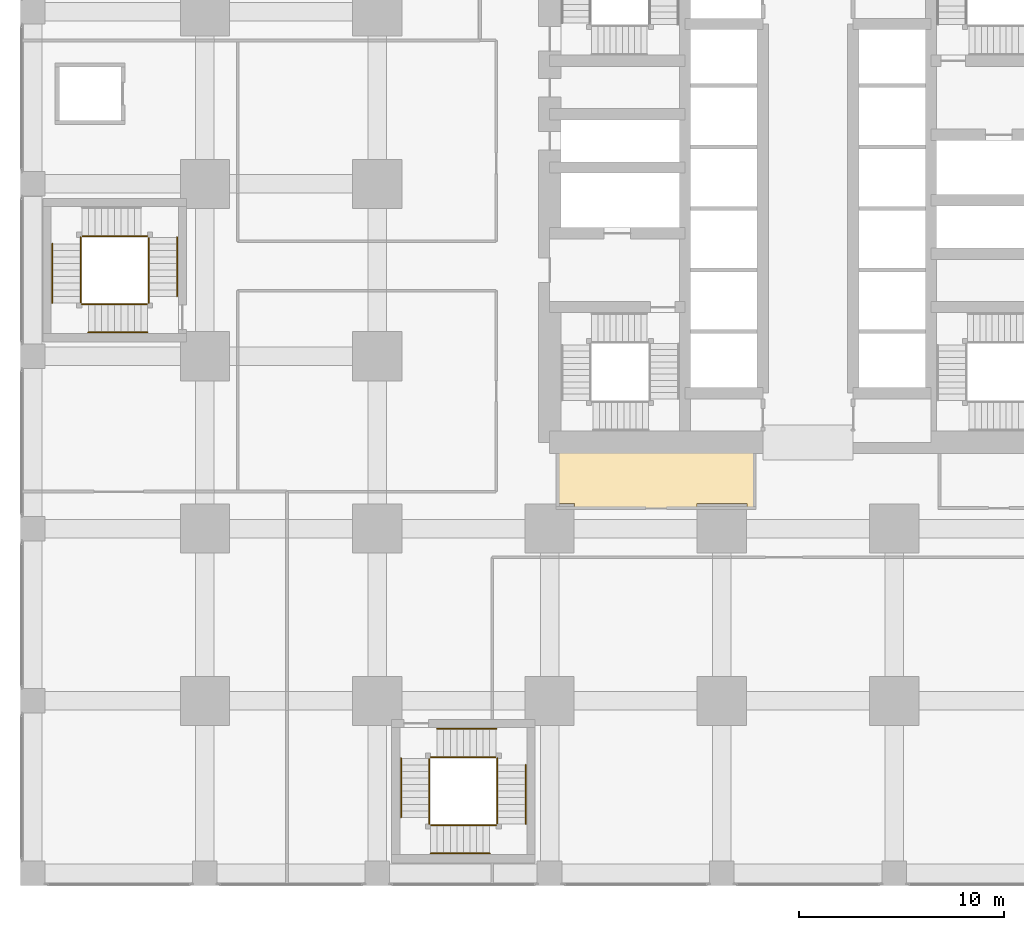
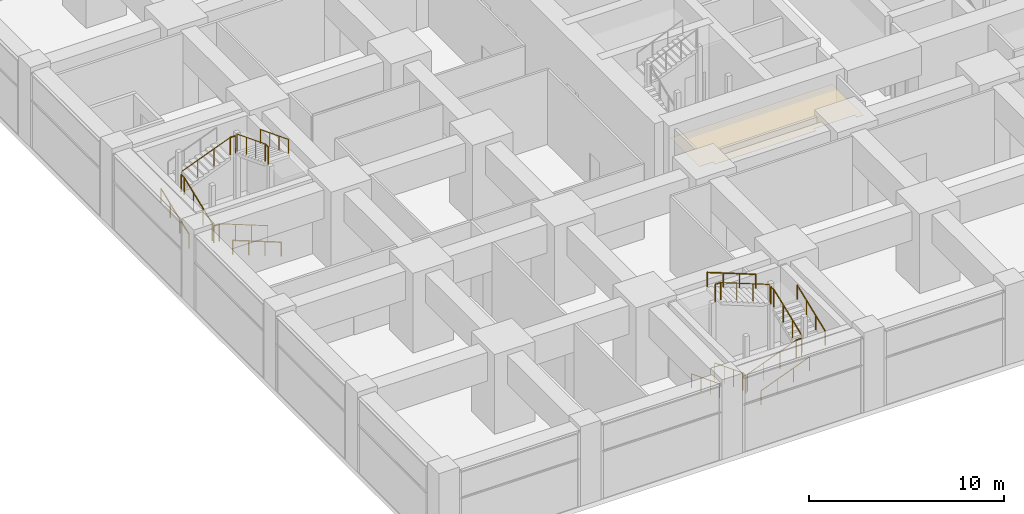
# One storey, part 41 of 49: 23 railings, 1 covering.
"""IFC4 building model written with IfcOpenShell, lengths in metres."""

from ifc_helpers import new_model, si_unit, direction, frame, origin, origin_2d, place, context, subcontext, project, spatial, polyline, circle, outline, extrude, material, layer, layer_set, type_object, element, save


model = new_model("IFC4")

# Units and contexts
model_context = context("Model", 3, precision=1e-05, world=origin(), true_north=direction((0.0, 1.0)))
body_context = subcontext(model_context, "Body", "Model", "MODEL_VIEW")
ifc_project = project(units=[si_unit("LENGTHUNIT", "METRE"), si_unit("AREAUNIT", "SQUARE_METRE"), si_unit("VOLUMEUNIT", "CUBIC_METRE"), si_unit("PLANEANGLEUNIT", "RADIAN"), si_unit("MASSUNIT", "GRAM", prefix="KILO")], contexts=[model_context])

# Site, building, storey
site_placement = place(None, origin())
site = spatial("IfcSite", under=ifc_project, at=site_placement, CompositionType="ELEMENT")
building_placement = place(site_placement, origin())
building = spatial("IfcBuilding", under=site, at=building_placement, Name="Rekha Terrace Tower", CompositionType="ELEMENT")
storey_placement = place(building_placement, frame((0.0, 0.0, 5.39990234375)))
storey = spatial("IfcBuildingStorey", under=building, at=storey_placement, Name="L01", CompositionType="ELEMENT", Elevation=5.39990234375)

# Covering
ifc_material_1 = material(Name="Fibre cement board", Category="finish")
ifc_layer = layer(ifc_material_1, 0.014892578125)
ifc_layer_set = layer_set([ifc_layer], Name="Fibre cement board")
covering_type = type_object("IfcCoveringType", Name="CL2 moisture-resistant board ceiling", PredefinedType="CEILING", material=ifc_layer_set)
covering_placement = place(storey_placement, frame((0.0, 0.0, 3.78515625)))
element("IfcCovering", 1, at=covering_placement, inside=storey, type_object=covering_type, Name="Ceiling L01-WCM", PredefinedType="CEILING", context=body_context, shape_type="SweptSolid", body=[
    extrude(outline(polyline([(35.199951171875, 21.0), (25.60009765625, 21.0), (25.60009765625, 18.014892578125), (26.4150390625, 18.014892578125), (26.4150390625, 17.800048828125), (32.385009765625, 17.800048828125), (32.385009765625, 18.014892578125), (34.81494140625, 18.014892578125), (34.81494140625, 17.800048828125), (35.199951171875, 17.800048828125), (35.199951171875, 21.0)])), origin(), (0.0, 0.0, 1.0), 0.014892578125),
])

# Railings
ifc_material_2 = material(Name="Stainless steel balustrade", Category="steel")
railing_type_1 = type_object("IfcRailingType", Name="GR1 1100 stair guard", PredefinedType="GUARDRAIL", material=ifc_material_2)
railing_1_placement = place(storey_placement, frame((5.60009765625, 27.739990234375, 0.125)))
element("IfcRailing", 2, at=railing_1_placement, inside=storey, type_object=railing_type_1, Name="Guard SP1 L01 flight 1", PredefinedType="GUARDRAIL", context=body_context, shape_type="SweptSolid", body=[
    extrude(circle(Radius=0.02392578125, at=origin_2d()), frame((0.0, 0.0, 1.076171875), z_axis=(-0.931462784923, 0.0, 0.363836612098), x_axis=(0.0, -1.0, 0.0)), (0.0, 0.0, 1.0), 3.092041015625),
    extrude(circle(Radius=0.02099609375, at=origin_2d()), origin(), (0.0, 0.0, 1.0), 1.052001953125),
    extrude(circle(Radius=0.02099609375, at=origin_2d()), frame((-0.9599609375, 0.0, 0.375)), (0.0, 0.0, 1.0), 1.052001953125),
    extrude(circle(Radius=0.02099609375, at=origin_2d()), frame((-1.920166015625, 0.0, 0.75)), (0.0, 0.0, 1.0), 1.052001953125),
    extrude(circle(Radius=0.02099609375, at=origin_2d()), frame((-2.880126953125, 0.0, 1.125)), (0.0, 0.0, 1.0), 1.052001953125),
])
railing_2_placement = place(storey_placement, frame((2.340087890625, 27.800048828125, 1.375)))
element("IfcRailing", 3, at=railing_2_placement, inside=storey, type_object=railing_type_1, Name="Guard SP1 L01 flight 2", PredefinedType="GUARDRAIL", context=body_context, shape_type="SweptSolid", body=[
    extrude(circle(Radius=0.02392578125, at=origin_2d()), frame((0.0, 0.0, 1.076171875), z_axis=(0.0, 0.931452331594, 0.363863372667), x_axis=(-1.0, 0.0, 0.0)), (0.0, 0.0, 1.0), 3.091796875),
    extrude(circle(Radius=0.02099609375, at=origin_2d()), origin(), (0.0, 0.0, 1.0), 1.052001953125),
    extrude(circle(Radius=0.02099609375, at=origin_2d()), frame((0.0, 0.9599609375, 0.375)), (0.0, 0.0, 1.0), 1.052001953125),
    extrude(circle(Radius=0.02099609375, at=origin_2d()), frame((0.0, 1.919921875, 0.75)), (0.0, 0.0, 1.0), 1.052001953125),
    extrude(circle(Radius=0.02099609375, at=origin_2d()), frame((0.0, 2.8798828125, 1.125)), (0.0, 0.0, 1.0), 1.052001953125),
])
railing_3_placement = place(storey_placement, frame((2.39990234375, 31.06005859375, 2.625)))
element("IfcRailing", 4, at=railing_3_placement, inside=storey, type_object=railing_type_1, Name="Guard SP1 L01 flight 3", PredefinedType="GUARDRAIL", context=body_context, shape_type="SweptSolid", body=[
    extrude(circle(Radius=0.02392578125, at=origin_2d()), frame((0.0, 0.0, 1.076171875), z_axis=(0.931462784923, 0.0, 0.363836612098), x_axis=(0.0, 1.0, 0.0)), (0.0, 0.0, 1.0), 3.092041015625),
    extrude(circle(Radius=0.02099609375, at=origin_2d()), origin(), (0.0, 0.0, 1.0), 1.052001953125),
    extrude(circle(Radius=0.02099609375, at=origin_2d()), frame((0.9599609375, 0.0, 0.375)), (0.0, 0.0, 1.0), 1.052001953125),
    extrude(circle(Radius=0.02099609375, at=origin_2d()), frame((1.920166015625, 0.0, 0.75)), (0.0, 0.0, 1.0), 1.052001953125),
    extrude(circle(Radius=0.02099609375, at=origin_2d()), frame((2.880126953125, 0.0, 1.125)), (0.0, 0.0, 1.0), 1.052001953125),
])
railing_4_placement = place(storey_placement, frame((5.659912109375, 31.0, 3.875)))
element("IfcRailing", 5, at=railing_4_placement, inside=storey, type_object=railing_type_1, Name="Guard SP1 L01 flight 4", PredefinedType="GUARDRAIL", context=body_context, shape_type="SweptSolid", body=[
    extrude(circle(Radius=0.02392578125, at=origin_2d()), frame((0.0, 0.0, 1.076171875), z_axis=(0.0, -0.931452331594, 0.363863372667), x_axis=(1.0, 0.0, 0.0)), (0.0, 0.0, 1.0), 3.091796875),
    extrude(circle(Radius=0.02099609375, at=origin_2d()), origin(), (0.0, 0.0, 1.0), 1.052001953125),
    extrude(circle(Radius=0.02099609375, at=origin_2d()), frame((0.0, -0.9599609375, 0.375)), (0.0, 0.0, 1.0), 1.052001953125),
    extrude(circle(Radius=0.02099609375, at=origin_2d()), frame((0.0, -1.919921875, 0.75)), (0.0, 0.0, 1.0), 1.052001953125),
    extrude(circle(Radius=0.02099609375, at=origin_2d()), frame((0.0, -2.8798828125, 1.125)), (0.0, 0.0, 1.0), 1.052001953125),
])
railing_5_placement = place(storey_placement, frame((2.719970703125, 27.739990234375, 1.25)))
element("IfcRailing", 6, at=railing_5_placement, inside=storey, type_object=railing_type_1, Name="Guard SP1 L01 landing 1", PredefinedType="GUARDRAIL", context=body_context, shape_type="SweptSolid", body=[
    extrude(circle(Radius=0.02392578125, at=origin_2d()), frame((0.0, 0.0, 1.076171875), z_axis=(-1.0, 0.0, 0.0), x_axis=(0.0, -1.0, 0.0)), (0.0, 0.0, 1.0), 0.320068359375),
    extrude(circle(Radius=0.02099609375, at=origin_2d()), origin(), (0.0, 0.0, 1.0), 1.052001953125),
    extrude(circle(Radius=0.02099609375, at=origin_2d()), frame((-0.320068359375, 0.0, 0.0)), (0.0, 0.0, 1.0), 1.052001953125),
])
railing_6_placement = place(storey_placement, frame((2.340087890625, 30.679931640625, 2.5)))
element("IfcRailing", 7, at=railing_6_placement, inside=storey, type_object=railing_type_1, Name="Guard SP1 L01 landing 2", PredefinedType="GUARDRAIL", context=body_context, shape_type="SweptSolid", body=[
    extrude(circle(Radius=0.02392578125, at=origin_2d()), frame((0.0, 0.0, 1.076171875), z_axis=(0.0, 1.0, 0.0), x_axis=(-1.0, 0.0, 0.0)), (0.0, 0.0, 1.0), 0.320068359375),
    extrude(circle(Radius=0.02099609375, at=origin_2d()), origin(), (0.0, 0.0, 1.0), 1.052001953125),
    extrude(circle(Radius=0.02099609375, at=origin_2d()), frame((0.0, 0.320068359375, 0.0)), (0.0, 0.0, 1.0), 1.052001953125),
])
railing_7_placement = place(storey_placement, frame((5.60009765625, 31.06005859375, 3.75)))
element("IfcRailing", 8, at=railing_7_placement, inside=storey, type_object=railing_type_1, Name="Guard SP1 L01 landing 3", PredefinedType="GUARDRAIL", context=body_context, shape_type="SweptSolid", body=[
    extrude(circle(Radius=0.02392578125, at=origin_2d()), frame((0.0, 0.0, 1.076171875), z_axis=(-1.0, 0.0, 0.0), x_axis=(0.0, -1.0, 0.0)), (0.0, 0.0, 1.0), 0.320068359375),
    extrude(circle(Radius=0.02099609375, at=origin_2d()), origin(), (0.0, 0.0, 1.0), 1.052001953125),
    extrude(circle(Radius=0.02099609375, at=origin_2d()), frame((-0.320068359375, 0.0, 0.0)), (0.0, 0.0, 1.0), 1.052001953125),
])
railing_8_placement = place(storey_placement, frame((5.659912109375, 27.800048828125, 5.0)))
element("IfcRailing", 9, at=railing_8_placement, inside=storey, type_object=railing_type_1, Name="Guard SP1 L01 landing 4", PredefinedType="GUARDRAIL", context=body_context, shape_type="SweptSolid", body=[
    extrude(circle(Radius=0.02392578125, at=origin_2d()), frame((0.0, 0.0, 1.076171875), z_axis=(0.0, 1.0, 0.0), x_axis=(-1.0, 0.0, 0.0)), (0.0, 0.0, 1.0), 0.320068359375),
    extrude(circle(Radius=0.02099609375, at=origin_2d()), origin(), (0.0, 0.0, 1.0), 1.052001953125),
    extrude(circle(Radius=0.02099609375, at=origin_2d()), frame((0.0, 0.320068359375, 0.0)), (0.0, 0.0, 1.0), 1.052001953125),
])
railing_9_placement = place(storey_placement, frame((19.340087890625, 5.60009765625, 0.125)))
element("IfcRailing", 10, at=railing_9_placement, inside=storey, type_object=railing_type_1, Name="Guard SP3 L01 flight 1", PredefinedType="GUARDRAIL", context=body_context, shape_type="SweptSolid", body=[
    extrude(circle(Radius=0.02392578125, at=origin_2d()), frame((0.0, 0.0, 1.076171875), z_axis=(0.0, -0.931462784923, 0.363836612098), x_axis=(1.0, 0.0, 0.0)), (0.0, 0.0, 1.0), 3.092041015625),
    extrude(circle(Radius=0.02099609375, at=origin_2d()), origin(), (0.0, 0.0, 1.0), 1.052001953125),
    extrude(circle(Radius=0.02099609375, at=origin_2d()), frame((0.0, -0.9599609375, 0.375)), (0.0, 0.0, 1.0), 1.052001953125),
    extrude(circle(Radius=0.02099609375, at=origin_2d()), frame((0.0, -1.920166015625, 0.75)), (0.0, 0.0, 1.0), 1.052001953125),
    extrude(circle(Radius=0.02099609375, at=origin_2d()), frame((0.0, -2.880126953125, 1.125)), (0.0, 0.0, 1.0), 1.052001953125),
])
railing_10_placement = place(storey_placement, frame((19.39990234375, 2.340087890625, 1.375)))
element("IfcRailing", 11, at=railing_10_placement, inside=storey, type_object=railing_type_1, Name="Guard SP3 L01 flight 2", PredefinedType="GUARDRAIL", context=body_context, shape_type="SweptSolid", body=[
    extrude(circle(Radius=0.02392578125, at=origin_2d()), frame((0.0, 0.0, 1.076171875), z_axis=(0.931462784923, 0.0, 0.363836612098), x_axis=(0.0, 1.0, 0.0)), (0.0, 0.0, 1.0), 3.092041015625),
    extrude(circle(Radius=0.02099609375, at=origin_2d()), origin(), (0.0, 0.0, 1.0), 1.052001953125),
    extrude(circle(Radius=0.02099609375, at=origin_2d()), frame((0.9599609375, 0.0, 0.375)), (0.0, 0.0, 1.0), 1.052001953125),
    extrude(circle(Radius=0.02099609375, at=origin_2d()), frame((1.920166015625, 0.0, 0.75)), (0.0, 0.0, 1.0), 1.052001953125),
    extrude(circle(Radius=0.02099609375, at=origin_2d()), frame((2.880126953125, 0.0, 1.125)), (0.0, 0.0, 1.0), 1.052001953125),
])
railing_11_placement = place(storey_placement, frame((22.659912109375, 2.39990234375, 2.625)))
element("IfcRailing", 12, at=railing_11_placement, inside=storey, type_object=railing_type_1, Name="Guard SP3 L01 flight 3", PredefinedType="GUARDRAIL", context=body_context, shape_type="SweptSolid", body=[
    extrude(circle(Radius=0.02392578125, at=origin_2d()), frame((0.0, 0.0, 1.076171875), z_axis=(0.0, 0.931462784923, 0.363836612098), x_axis=(-1.0, 0.0, 0.0)), (0.0, 0.0, 1.0), 3.092041015625),
    extrude(circle(Radius=0.02099609375, at=origin_2d()), origin(), (0.0, 0.0, 1.0), 1.052001953125),
    extrude(circle(Radius=0.02099609375, at=origin_2d()), frame((0.0, 0.9599609375, 0.375)), (0.0, 0.0, 1.0), 1.052001953125),
    extrude(circle(Radius=0.02099609375, at=origin_2d()), frame((0.0, 1.920166015625, 0.75)), (0.0, 0.0, 1.0), 1.052001953125),
    extrude(circle(Radius=0.02099609375, at=origin_2d()), frame((0.0, 2.880126953125, 1.125)), (0.0, 0.0, 1.0), 1.052001953125),
])
railing_12_placement = place(storey_placement, frame((22.60009765625, 5.659912109375, 3.875)))
element("IfcRailing", 13, at=railing_12_placement, inside=storey, type_object=railing_type_1, Name="Guard SP3 L01 flight 4", PredefinedType="GUARDRAIL", context=body_context, shape_type="SweptSolid", body=[
    extrude(circle(Radius=0.02392578125, at=origin_2d()), frame((0.0, 0.0, 1.076171875), z_axis=(-0.931462784923, 0.0, 0.363836612098), x_axis=(0.0, -1.0, 0.0)), (0.0, 0.0, 1.0), 3.092041015625),
    extrude(circle(Radius=0.02099609375, at=origin_2d()), origin(), (0.0, 0.0, 1.0), 1.052001953125),
    extrude(circle(Radius=0.02099609375, at=origin_2d()), frame((-0.9599609375, 0.0, 0.375)), (0.0, 0.0, 1.0), 1.052001953125),
    extrude(circle(Radius=0.02099609375, at=origin_2d()), frame((-1.920166015625, 0.0, 0.75)), (0.0, 0.0, 1.0), 1.052001953125),
    extrude(circle(Radius=0.02099609375, at=origin_2d()), frame((-2.880126953125, 0.0, 1.125)), (0.0, 0.0, 1.0), 1.052001953125),
])
railing_13_placement = place(storey_placement, frame((19.340087890625, 2.719970703125, 1.25)))
element("IfcRailing", 14, at=railing_13_placement, inside=storey, type_object=railing_type_1, Name="Guard SP3 L01 landing 1", PredefinedType="GUARDRAIL", context=body_context, shape_type="SweptSolid", body=[
    extrude(circle(Radius=0.02392578125, at=origin_2d()), frame((0.0, 0.0, 1.076171875), z_axis=(0.0, -1.0, 0.0), x_axis=(1.0, 0.0, 0.0)), (0.0, 0.0, 1.0), 0.320068359375),
    extrude(circle(Radius=0.02099609375, at=origin_2d()), origin(), (0.0, 0.0, 1.0), 1.052001953125),
    extrude(circle(Radius=0.02099609375, at=origin_2d()), frame((0.0, -0.320068359375, 0.0)), (0.0, 0.0, 1.0), 1.052001953125),
])
railing_14_placement = place(storey_placement, frame((22.280029296875, 2.340087890625, 2.5)))
element("IfcRailing", 15, at=railing_14_placement, inside=storey, type_object=railing_type_1, Name="Guard SP3 L01 landing 2", PredefinedType="GUARDRAIL", context=body_context, shape_type="SweptSolid", body=[
    extrude(circle(Radius=0.02392578125, at=origin_2d()), frame((0.0, 0.0, 1.076171875), z_axis=(1.0, 0.0, 0.0), x_axis=(0.0, 1.0, 0.0)), (0.0, 0.0, 1.0), 0.320068359375),
    extrude(circle(Radius=0.02099609375, at=origin_2d()), origin(), (0.0, 0.0, 1.0), 1.052001953125),
    extrude(circle(Radius=0.02099609375, at=origin_2d()), frame((0.320068359375, 0.0, 0.0)), (0.0, 0.0, 1.0), 1.052001953125),
])
railing_15_placement = place(storey_placement, frame((22.659912109375, 5.60009765625, 3.75)))
element("IfcRailing", 16, at=railing_15_placement, inside=storey, type_object=railing_type_1, Name="Guard SP3 L01 landing 3", PredefinedType="GUARDRAIL", context=body_context, shape_type="SweptSolid", body=[
    extrude(circle(Radius=0.02392578125, at=origin_2d()), frame((0.0, 0.0, 1.076171875), z_axis=(0.0, -1.0, 0.0), x_axis=(1.0, 0.0, 0.0)), (0.0, 0.0, 1.0), 0.320068359375),
    extrude(circle(Radius=0.02099609375, at=origin_2d()), origin(), (0.0, 0.0, 1.0), 1.052001953125),
    extrude(circle(Radius=0.02099609375, at=origin_2d()), frame((0.0, -0.320068359375, 0.0)), (0.0, 0.0, 1.0), 1.052001953125),
])
railing_16_placement = place(storey_placement, frame((19.39990234375, 5.659912109375, 5.0)))
element("IfcRailing", 17, at=railing_16_placement, inside=storey, type_object=railing_type_1, Name="Guard SP3 L01 landing 4", PredefinedType="GUARDRAIL", context=body_context, shape_type="SweptSolid", body=[
    extrude(circle(Radius=0.02392578125, at=origin_2d()), frame((0.0, 0.0, 1.076171875), z_axis=(1.0, 0.0, 0.0), x_axis=(0.0, 1.0, 0.0)), (0.0, 0.0, 1.0), 0.320068359375),
    extrude(circle(Radius=0.02099609375, at=origin_2d()), origin(), (0.0, 0.0, 1.0), 1.052001953125),
    extrude(circle(Radius=0.02099609375, at=origin_2d()), frame((0.320068359375, 0.0, 0.0)), (0.0, 0.0, 1.0), 1.052001953125),
])
ifc_material_3 = material(Name="Stainless steel tube", Category="steel")
railing_type_2 = type_object("IfcRailingType", Name="HR1 900 stair handrail", PredefinedType="HANDRAIL", material=ifc_material_3)
railing_17_placement = place(storey_placement, frame((5.60009765625, 26.360107421875, 0.125)))
element("IfcRailing", 18, at=railing_17_placement, inside=storey, type_object=railing_type_2, Name="Handrail SP1 L01 flight 1", PredefinedType="HANDRAIL", context=body_context, shape_type="SweptSolid", body=[
    extrude(circle(Radius=0.02392578125, at=origin_2d()), frame((0.0, 0.0, 0.8759765625), z_axis=(-0.931462784923, 0.0, 0.363836612098), x_axis=(0.0, -1.0, 0.0)), (0.0, 0.0, 1.0), 3.092041015625),
    extrude(circle(Radius=0.02099609375, at=origin_2d()), origin(), (0.0, 0.0, 1.0), 0.851806640625),
    extrude(circle(Radius=0.02099609375, at=origin_2d()), frame((-0.9599609375, 0.0, 0.375)), (0.0, 0.0, 1.0), 0.851806640625),
    extrude(circle(Radius=0.02099609375, at=origin_2d()), frame((-1.920166015625, 0.0, 0.75)), (0.0, 0.0, 1.0), 0.851806640625),
    extrude(circle(Radius=0.02099609375, at=origin_2d()), frame((-2.880126953125, 0.0, 1.125)), (0.0, 0.0, 1.0), 0.851806640625),
])
railing_18_placement = place(storey_placement, frame((0.9599609375, 27.800048828125, 1.375)))
element("IfcRailing", 19, at=railing_18_placement, inside=storey, type_object=railing_type_2, Name="Handrail SP1 L01 flight 2", PredefinedType="HANDRAIL", context=body_context, shape_type="SweptSolid", body=[
    extrude(circle(Radius=0.02392578125, at=origin_2d()), frame((0.0, 0.0, 0.8759765625), z_axis=(0.0, 0.931452331594, 0.363863372667), x_axis=(-1.0, 0.0, 0.0)), (0.0, 0.0, 1.0), 3.091796875),
    extrude(circle(Radius=0.02099609375, at=origin_2d()), origin(), (0.0, 0.0, 1.0), 0.851806640625),
    extrude(circle(Radius=0.02099609375, at=origin_2d()), frame((0.0, 0.9599609375, 0.375)), (0.0, 0.0, 1.0), 0.851806640625),
    extrude(circle(Radius=0.02099609375, at=origin_2d()), frame((0.0, 1.919921875, 0.75)), (0.0, 0.0, 1.0), 0.851806640625),
    extrude(circle(Radius=0.02099609375, at=origin_2d()), frame((0.0, 2.8798828125, 1.125)), (0.0, 0.0, 1.0), 0.851806640625),
])
railing_19_placement = place(storey_placement, frame((7.0400390625, 31.0, 3.875)))
element("IfcRailing", 20, at=railing_19_placement, inside=storey, type_object=railing_type_2, Name="Handrail SP1 L01 flight 4", PredefinedType="HANDRAIL", context=body_context, shape_type="SweptSolid", body=[
    extrude(circle(Radius=0.02392578125, at=origin_2d()), frame((0.0, 0.0, 0.8759765625), z_axis=(0.0, -0.931452331594, 0.363863372667), x_axis=(1.0, 0.0, 0.0)), (0.0, 0.0, 1.0), 3.091796875),
    extrude(circle(Radius=0.02099609375, at=origin_2d()), origin(), (0.0, 0.0, 1.0), 0.851806640625),
    extrude(circle(Radius=0.02099609375, at=origin_2d()), frame((0.0, -0.9599609375, 0.375)), (0.0, 0.0, 1.0), 0.851806640625),
    extrude(circle(Radius=0.02099609375, at=origin_2d()), frame((0.0, -1.919921875, 0.75)), (0.0, 0.0, 1.0), 0.851806640625),
    extrude(circle(Radius=0.02099609375, at=origin_2d()), frame((0.0, -2.8798828125, 1.125)), (0.0, 0.0, 1.0), 0.851806640625),
])
railing_20_placement = place(storey_placement, frame((17.9599609375, 5.60009765625, 0.125)))
element("IfcRailing", 21, at=railing_20_placement, inside=storey, type_object=railing_type_2, Name="Handrail SP3 L01 flight 1", PredefinedType="HANDRAIL", context=body_context, shape_type="SweptSolid", body=[
    extrude(circle(Radius=0.02392578125, at=origin_2d()), frame((0.0, 0.0, 0.8759765625), z_axis=(0.0, -0.931462784923, 0.363836612098), x_axis=(1.0, 0.0, 0.0)), (0.0, 0.0, 1.0), 3.092041015625),
    extrude(circle(Radius=0.02099609375, at=origin_2d()), origin(), (0.0, 0.0, 1.0), 0.851806640625),
    extrude(circle(Radius=0.02099609375, at=origin_2d()), frame((0.0, -0.9599609375, 0.375)), (0.0, 0.0, 1.0), 0.851806640625),
    extrude(circle(Radius=0.02099609375, at=origin_2d()), frame((0.0, -1.920166015625, 0.75)), (0.0, 0.0, 1.0), 0.851806640625),
    extrude(circle(Radius=0.02099609375, at=origin_2d()), frame((0.0, -2.880126953125, 1.125)), (0.0, 0.0, 1.0), 0.851806640625),
])
railing_21_placement = place(storey_placement, frame((19.39990234375, 0.9599609375, 1.375)))
element("IfcRailing", 22, at=railing_21_placement, inside=storey, type_object=railing_type_2, Name="Handrail SP3 L01 flight 2", PredefinedType="HANDRAIL", context=body_context, shape_type="SweptSolid", body=[
    extrude(circle(Radius=0.02392578125, at=origin_2d()), frame((0.0, 0.0, 0.8759765625), z_axis=(0.931462784923, 0.0, 0.363836612098), x_axis=(0.0, 1.0, 0.0)), (0.0, 0.0, 1.0), 3.092041015625),
    extrude(circle(Radius=0.02099609375, at=origin_2d()), origin(), (0.0, 0.0, 1.0), 0.851806640625),
    extrude(circle(Radius=0.02099609375, at=origin_2d()), frame((0.9599609375, 0.0, 0.375)), (0.0, 0.0, 1.0), 0.851806640625),
    extrude(circle(Radius=0.02099609375, at=origin_2d()), frame((1.920166015625, 0.0, 0.75)), (0.0, 0.0, 1.0), 0.851806640625),
    extrude(circle(Radius=0.02099609375, at=origin_2d()), frame((2.880126953125, 0.0, 1.125)), (0.0, 0.0, 1.0), 0.851806640625),
])
railing_22_placement = place(storey_placement, frame((24.0400390625, 2.39990234375, 2.625)))
element("IfcRailing", 23, at=railing_22_placement, inside=storey, type_object=railing_type_2, Name="Handrail SP3 L01 flight 3", PredefinedType="HANDRAIL", context=body_context, shape_type="SweptSolid", body=[
    extrude(circle(Radius=0.02392578125, at=origin_2d()), frame((0.0, 0.0, 0.8759765625), z_axis=(0.0, 0.931462784923, 0.363836612098), x_axis=(-1.0, 0.0, 0.0)), (0.0, 0.0, 1.0), 3.092041015625),
    extrude(circle(Radius=0.02099609375, at=origin_2d()), origin(), (0.0, 0.0, 1.0), 0.851806640625),
    extrude(circle(Radius=0.02099609375, at=origin_2d()), frame((0.0, 0.9599609375, 0.375)), (0.0, 0.0, 1.0), 0.851806640625),
    extrude(circle(Radius=0.02099609375, at=origin_2d()), frame((0.0, 1.920166015625, 0.75)), (0.0, 0.0, 1.0), 0.851806640625),
    extrude(circle(Radius=0.02099609375, at=origin_2d()), frame((0.0, 2.880126953125, 1.125)), (0.0, 0.0, 1.0), 0.851806640625),
])
railing_23_placement = place(storey_placement, frame((22.60009765625, 7.0400390625, 3.875)))
element("IfcRailing", 24, at=railing_23_placement, inside=storey, type_object=railing_type_2, Name="Handrail SP3 L01 flight 4", PredefinedType="HANDRAIL", context=body_context, shape_type="SweptSolid", body=[
    extrude(circle(Radius=0.02392578125, at=origin_2d()), frame((0.0, 0.0, 0.8759765625), z_axis=(-0.931462784923, 0.0, 0.363836612098), x_axis=(0.0, -1.0, 0.0)), (0.0, 0.0, 1.0), 3.092041015625),
    extrude(circle(Radius=0.02099609375, at=origin_2d()), origin(), (0.0, 0.0, 1.0), 0.851806640625),
    extrude(circle(Radius=0.02099609375, at=origin_2d()), frame((-0.9599609375, 0.0, 0.375)), (0.0, 0.0, 1.0), 0.851806640625),
    extrude(circle(Radius=0.02099609375, at=origin_2d()), frame((-1.920166015625, 0.0, 0.75)), (0.0, 0.0, 1.0), 0.851806640625),
    extrude(circle(Radius=0.02099609375, at=origin_2d()), frame((-2.880126953125, 0.0, 1.125)), (0.0, 0.0, 1.0), 0.851806640625),
])

save(model, "model.ifc")
